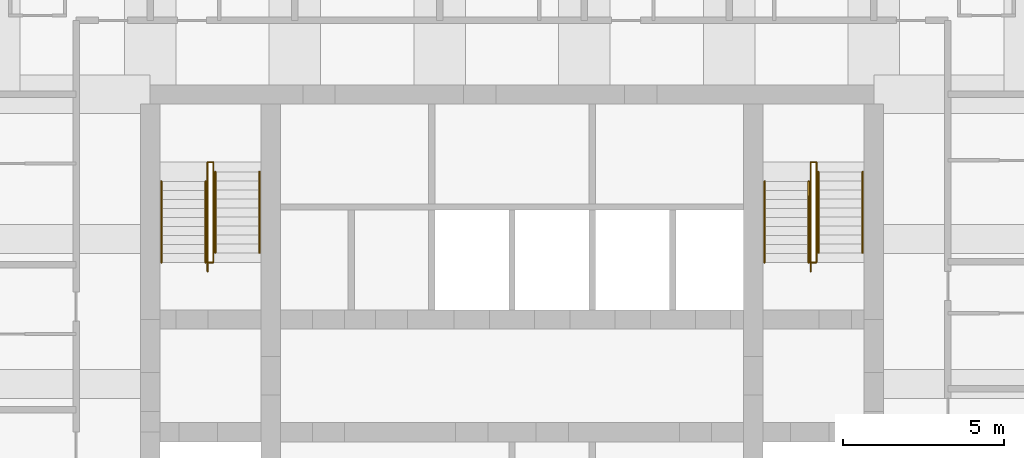
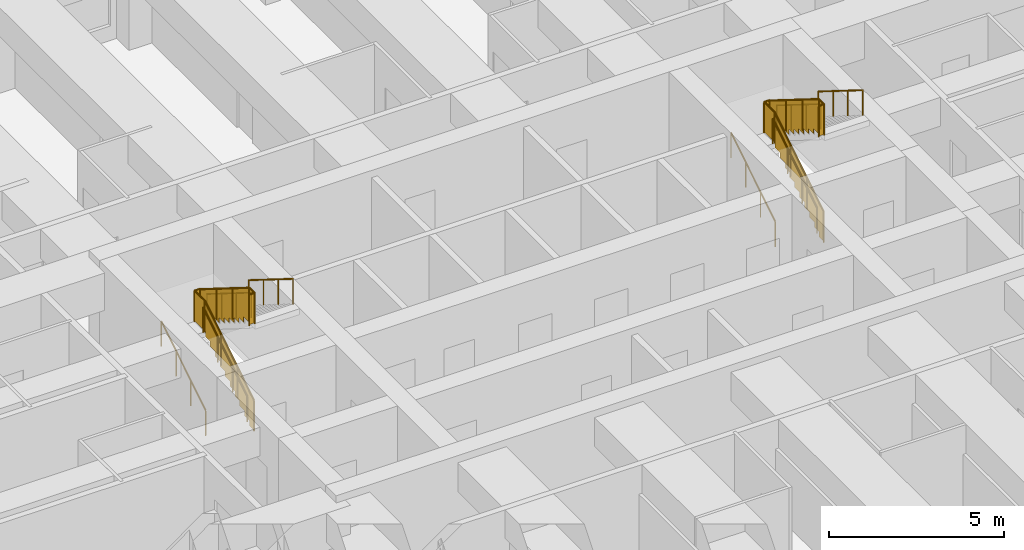
# One storey, part 8 of 8: 12 railings.
"""IFC4 building model written with IfcOpenShell, lengths in metres."""

from ifc_helpers import new_model, si_unit, direction, frame, origin, origin_2d, place, context, subcontext, project, spatial, polyline, circle, outline, extrude, material, type_object, element, save


model = new_model("IFC4")

# Units and contexts
model_context = context("Model", 3, precision=1e-05, world=origin(), true_north=direction((0.0, 1.0)))
body_context = subcontext(model_context, "Body", "Model", "MODEL_VIEW")
ifc_project = project(units=[si_unit("LENGTHUNIT", "METRE"), si_unit("AREAUNIT", "SQUARE_METRE"), si_unit("VOLUMEUNIT", "CUBIC_METRE"), si_unit("PLANEANGLEUNIT", "RADIAN"), si_unit("MASSUNIT", "GRAM", prefix="KILO")], contexts=[model_context])

# Site, building, storey
site_placement = place(None, origin())
site = spatial("IfcSite", under=ifc_project, at=site_placement, CompositionType="ELEMENT")
building_placement = place(site_placement, origin())
building = spatial("IfcBuilding", under=site, at=building_placement, Name="Kilele Tower Hotel", CompositionType="ELEMENT")
storey_placement = place(building_placement, frame((0.0, 0.0, 204.39990234375)))
storey = spatial("IfcBuildingStorey", under=building, at=storey_placement, Name="L53", CompositionType="ELEMENT", Elevation=204.39990234375)

# Railings
ifc_material_1 = material(Name="Steel handrail", Category="steel")
railing_type_1 = type_object("IfcRailingType", Name="Handrail 900", PredefinedType="HANDRAIL", material=ifc_material_1)
for number, where, name in (
    (1, (13.85009765625, 21.77490234375, 0.175048828125), "Handrail ST1 flight 1"),
    (2, (15.22509765625, 21.77490234375, 0.175048828125), "Handrail ST1 flight 1"),
):
    element("IfcRailing", number, at=place(storey_placement, frame(where)), inside=storey, type_object=railing_type_1, Name=name, PredefinedType="HANDRAIL", context=body_context, shape_type="SweptSolid", body=[
        extrude(circle(Radius=0.02490234375, at=origin_2d()), frame((0.0, 0.0, 0.875), z_axis=(0.0, 0.848007534815, 0.529984170421), x_axis=(-1.0, 0.0, 0.0)), (0.0, 0.0, 1.0), 2.9716796875),
        extrude(circle(Radius=0.02001953125, at=origin_2d()), origin(), (0.0, 0.0, 1.0), 0.849853515625),
        extrude(circle(Radius=0.02001953125, at=origin_2d()), frame((0.0, 0.840087890625, 0.52490234375)), (0.0, 0.0, 1.0), 0.849853515625),
        extrude(circle(Radius=0.02001953125, at=origin_2d()), frame((0.0, 1.679931640625, 1.050048828125)), (0.0, 0.0, 1.0), 0.849853515625),
        extrude(circle(Radius=0.02001953125, at=origin_2d()), frame((0.0, 2.52001953125, 1.574951171875)), (0.0, 0.0, 1.0), 0.849853515625),
    ])
for number, where, name in (
    (3, (15.52490234375, 24.594970703125, 1.925048828125), "Handrail ST1 flight 2"),
    (4, (16.89990234375, 24.594970703125, 1.925048828125), "Handrail ST1 flight 2"),
):
    element("IfcRailing", number, at=place(storey_placement, frame(where)), inside=storey, type_object=railing_type_1, Name=name, PredefinedType="HANDRAIL", context=body_context, shape_type="SweptSolid", body=[
        extrude(circle(Radius=0.02490234375, at=origin_2d()), frame((0.0, 0.0, 0.875), z_axis=(0.0, -0.848007534815, 0.529984170421), x_axis=(1.0, 0.0, 0.0)), (0.0, 0.0, 1.0), 2.9716796875),
        extrude(circle(Radius=0.02001953125, at=origin_2d()), origin(), (0.0, 0.0, 1.0), 0.849853515625),
        extrude(circle(Radius=0.02001953125, at=origin_2d()), frame((0.0, -0.840087890625, 0.52490234375)), (0.0, 0.0, 1.0), 0.849853515625),
        extrude(circle(Radius=0.02001953125, at=origin_2d()), frame((0.0, -1.679931640625, 1.050048828125)), (0.0, 0.0, 1.0), 0.849853515625),
        extrude(circle(Radius=0.02001953125, at=origin_2d()), frame((0.0, -2.52001953125, 1.574951171875)), (0.0, 0.0, 1.0), 0.849853515625),
    ])
for number, where, name in (
    (5, (32.60009765625, 21.77490234375, 0.175048828125), "Handrail ST2 flight 1"),
    (6, (33.97509765625, 21.77490234375, 0.175048828125), "Handrail ST2 flight 1"),
):
    element("IfcRailing", number, at=place(storey_placement, frame(where)), inside=storey, type_object=railing_type_1, Name=name, PredefinedType="HANDRAIL", context=body_context, shape_type="SweptSolid", body=[
        extrude(circle(Radius=0.02490234375, at=origin_2d()), frame((0.0, 0.0, 0.875), z_axis=(0.0, 0.848007534815, 0.529984170421), x_axis=(-1.0, 0.0, 0.0)), (0.0, 0.0, 1.0), 2.9716796875),
        extrude(circle(Radius=0.02001953125, at=origin_2d()), origin(), (0.0, 0.0, 1.0), 0.849853515625),
        extrude(circle(Radius=0.02001953125, at=origin_2d()), frame((0.0, 0.840087890625, 0.52490234375)), (0.0, 0.0, 1.0), 0.849853515625),
        extrude(circle(Radius=0.02001953125, at=origin_2d()), frame((0.0, 1.679931640625, 1.050048828125)), (0.0, 0.0, 1.0), 0.849853515625),
        extrude(circle(Radius=0.02001953125, at=origin_2d()), frame((0.0, 2.52001953125, 1.574951171875)), (0.0, 0.0, 1.0), 0.849853515625),
    ])
for number, where, name in (
    (7, (34.27490234375, 24.594970703125, 1.925048828125), "Handrail ST2 flight 2"),
    (8, (35.64990234375, 24.594970703125, 1.925048828125), "Handrail ST2 flight 2"),
):
    element("IfcRailing", number, at=place(storey_placement, frame(where)), inside=storey, type_object=railing_type_1, Name=name, PredefinedType="HANDRAIL", context=body_context, shape_type="SweptSolid", body=[
        extrude(circle(Radius=0.02490234375, at=origin_2d()), frame((0.0, 0.0, 0.875), z_axis=(0.0, -0.848007534815, 0.529984170421), x_axis=(1.0, 0.0, 0.0)), (0.0, 0.0, 1.0), 2.9716796875),
        extrude(circle(Radius=0.02001953125, at=origin_2d()), origin(), (0.0, 0.0, 1.0), 0.849853515625),
        extrude(circle(Radius=0.02001953125, at=origin_2d()), frame((0.0, -0.840087890625, 0.52490234375)), (0.0, 0.0, 1.0), 0.849853515625),
        extrude(circle(Radius=0.02001953125, at=origin_2d()), frame((0.0, -1.679931640625, 1.050048828125)), (0.0, 0.0, 1.0), 0.849853515625),
        extrude(circle(Radius=0.02001953125, at=origin_2d()), frame((0.0, -2.52001953125, 1.574951171875)), (0.0, 0.0, 1.0), 0.849853515625),
    ])
ifc_material_2 = material(Name="Steel guard", Category="steel")
railing_type_2 = type_object("IfcRailingType", Name="Stair guard 1100", PredefinedType="GUARDRAIL", material=ifc_material_2)
railing_1_placement = place(storey_placement, frame((15.284912109375, 21.4951171875, 0.0)))
element("IfcRailing", 9, at=railing_1_placement, inside=storey, type_object=railing_type_2, Name="Stair well guard ST1 flight 1", PredefinedType="GUARDRAIL", context=body_context, shape_type="SweptSolid", body=[
    extrude(circle(Radius=0.02490234375, at=origin_2d()), frame((0.0, 0.0, 1.0751953125), z_axis=(0.0, 0.847981687118, 0.530025526095), x_axis=(-1.0, 0.0, 0.0)), (0.0, 0.0, 1.0), 3.3017578125),
    extrude(circle(Radius=0.02490234375, at=origin_2d()), frame((0.0, 2.7998046875, 2.8251953125), z_axis=(0.0, 1.0, 0.0), x_axis=(-1.0, 0.0, 0.0)), (0.0, 0.0, 1.0), 0.60009765625),
    extrude(circle(Radius=0.02490234375, at=origin_2d()), frame((0.0, 3.39990234375, 2.8251953125), z_axis=(1.0, 0.0, 0.0), x_axis=(0.0, 1.0, 0.0)), (0.0, 0.0, 1.0), 0.18017578125),
    extrude(circle(Radius=0.02490234375, at=origin_2d()), origin(), (0.0, 0.0, 1.0), 1.050048828125),
    extrude(circle(Radius=0.02490234375, at=origin_2d()), frame((0.0, 0.933349609375, 0.583251953125)), (0.0, 0.0, 1.0), 1.050048828125),
    extrude(circle(Radius=0.02490234375, at=origin_2d()), frame((0.0, 1.866455078125, 1.166748046875)), (0.0, 0.0, 1.0), 1.050048828125),
    extrude(circle(Radius=0.02490234375, at=origin_2d()), frame((0.0, 2.7998046875, 1.75)), (0.0, 0.0, 1.0), 1.050048828125),
    extrude(circle(Radius=0.02490234375, at=origin_2d()), frame((0.0, 3.39990234375, 1.75)), (0.0, 0.0, 1.0), 1.050048828125),
    extrude(circle(Radius=0.02490234375, at=origin_2d()), frame((0.18017578125, 3.39990234375, 1.75)), (0.0, 0.0, 1.0), 1.050048828125),
    extrude(outline(polyline([(0.012451171875, 0.030029296875), (0.25, 0.030029296875), (0.25, 0.205078125), (0.530029296875, 0.205078125), (0.530029296875, 0.380126953125), (0.809814453125, 0.380126953125), (0.809814453125, 0.554931640625), (1.08984375, 0.554931640625), (1.08984375, 0.72998046875), (1.369873046875, 0.72998046875), (1.369873046875, 0.905029296875), (1.64990234375, 0.905029296875), (1.64990234375, 1.080078125), (1.929931640625, 1.080078125), (1.929931640625, 1.255126953125), (2.209716796875, 1.255126953125), (2.209716796875, 1.429931640625), (2.48974609375, 1.429931640625), (2.48974609375, 1.60498046875), (2.769775390625, 1.60498046875), (2.769775390625, 1.780029296875), (2.787353515625, 1.780029296875), (2.787353515625, 2.787841796875), (0.012451171875, 1.053466796875), (0.012451171875, 0.030029296875)])), frame((-0.005859375, 0.0, 0.0), z_axis=(1.0, 0.0, 0.0), x_axis=(0.0, 1.0, 0.0)), (0.0, 0.0, 1.0), 0.011962890625),
    extrude(outline(polyline([(0.012451171875, 0.030029296875), (0.587646484375, 0.030029296875), (0.587646484375, 1.050048828125), (0.012451171875, 1.050048828125), (0.012451171875, 0.030029296875)])), frame((-0.005859375, 2.7998046875, 1.75), z_axis=(1.0, 0.0, 0.0), x_axis=(0.0, 1.0, 0.0)), (0.0, 0.0, 1.0), 0.011962890625),
    extrude(outline(polyline([(0.012451171875, 0.030029296875), (0.18017578125, 0.030029296875), (0.18017578125, 1.050048828125), (0.012451171875, 1.050048828125), (0.012451171875, 0.030029296875)])), frame((0.0, 3.40576171875, 1.75), z_axis=(0.0, -1.0, 0.0), x_axis=(1.0, 0.0, 0.0)), (0.0, 0.0, 1.0), 0.011962890625),
])
railing_2_placement = place(storey_placement, frame((15.465087890625, 24.89501953125, 1.75)))
element("IfcRailing", 10, at=railing_2_placement, inside=storey, type_object=railing_type_2, Name="Stair well guard ST1 flight 2", PredefinedType="GUARDRAIL", context=body_context, shape_type="SweptSolid", body=[
    extrude(circle(Radius=0.02490234375, at=origin_2d()), frame((0.0, 0.0, 1.0751953125), z_axis=(0.0, -1.0, 0.0), x_axis=(1.0, 0.0, 0.0)), (0.0, 0.0, 1.0), 0.02001953125),
    extrude(circle(Radius=0.02490234375, at=origin_2d()), frame((0.0, -0.02001953125, 1.0751953125), z_axis=(0.0, -0.848002457836, 0.529992293815), x_axis=(1.0, 0.0, 0.0)), (0.0, 0.0, 1.0), 3.302001953125),
    extrude(circle(Radius=0.02490234375, at=origin_2d()), frame((0.0, -2.820068359375, 2.8251953125), z_axis=(0.0, -1.0, 0.0), x_axis=(1.0, 0.0, 0.0)), (0.0, 0.0, 1.0), 0.300048828125),
    extrude(circle(Radius=0.02490234375, at=origin_2d()), frame((0.0, -3.1201171875, 2.8251953125), z_axis=(-1.0, 0.0, 0.0), x_axis=(0.0, -1.0, 0.0)), (0.0, 0.0, 1.0), 0.18017578125),
    extrude(circle(Radius=0.02490234375, at=origin_2d()), origin(), (0.0, 0.0, 1.0), 1.050048828125),
    extrude(circle(Radius=0.02490234375, at=origin_2d()), frame((0.0, -0.02001953125, 0.0)), (0.0, 0.0, 1.0), 1.050048828125),
    extrude(circle(Radius=0.02490234375, at=origin_2d()), frame((0.0, -0.953369140625, 0.583251953125)), (0.0, 0.0, 1.0), 1.050048828125),
    extrude(circle(Radius=0.02490234375, at=origin_2d()), frame((0.0, -1.88671875, 1.166748046875)), (0.0, 0.0, 1.0), 1.050048828125),
    extrude(circle(Radius=0.02490234375, at=origin_2d()), frame((0.0, -2.820068359375, 1.75)), (0.0, 0.0, 1.0), 1.050048828125),
    extrude(circle(Radius=0.02490234375, at=origin_2d()), frame((0.0, -3.1201171875, 1.75)), (0.0, 0.0, 1.0), 1.050048828125),
    extrude(circle(Radius=0.02490234375, at=origin_2d()), frame((-0.18017578125, -3.1201171875, 1.75)), (0.0, 0.0, 1.0), 1.050048828125),
    extrude(outline(polyline([(0.012451171875, 0.030029296875), (0.25, 0.030029296875), (0.25, 0.205078125), (0.530029296875, 0.205078125), (0.530029296875, 0.380126953125), (0.81005859375, 0.380126953125), (0.81005859375, 0.554931640625), (1.090087890625, 0.554931640625), (1.090087890625, 0.72998046875), (1.3701171875, 0.72998046875), (1.3701171875, 0.905029296875), (1.64990234375, 0.905029296875), (1.64990234375, 1.080078125), (1.929931640625, 1.080078125), (1.929931640625, 1.255126953125), (2.2099609375, 1.255126953125), (2.2099609375, 1.429931640625), (2.489990234375, 1.429931640625), (2.489990234375, 1.60498046875), (2.77001953125, 1.60498046875), (2.77001953125, 1.780029296875), (2.78759765625, 1.780029296875), (2.78759765625, 2.787841796875), (0.012451171875, 1.053466796875), (0.012451171875, 0.030029296875)])), frame((0.005859375, -0.02001953125, 0.0), z_axis=(-1.0, 0.0, 0.0), x_axis=(0.0, -1.0, 0.0)), (0.0, 0.0, 1.0), 0.011962890625),
    extrude(outline(polyline([(0.012451171875, 0.030029296875), (0.28759765625, 0.030029296875), (0.28759765625, 1.050048828125), (0.012451171875, 1.050048828125), (0.012451171875, 0.030029296875)])), frame((0.005859375, -2.820068359375, 1.75), z_axis=(-1.0, 0.0, 0.0), x_axis=(0.0, -1.0, 0.0)), (0.0, 0.0, 1.0), 0.011962890625),
    extrude(outline(polyline([(0.012451171875, 0.030029296875), (0.18017578125, 0.030029296875), (0.18017578125, 1.050048828125), (0.012451171875, 1.050048828125), (0.012451171875, 0.030029296875)])), frame((0.0, -3.1259765625, 1.75), z_axis=(0.0, 1.0, 0.0), x_axis=(-1.0, 0.0, 0.0)), (0.0, 0.0, 1.0), 0.011962890625),
])
railing_3_placement = place(storey_placement, frame((34.034912109375, 21.4951171875, 0.0)))
element("IfcRailing", 11, at=railing_3_placement, inside=storey, type_object=railing_type_2, Name="Stair well guard ST2 flight 1", PredefinedType="GUARDRAIL", context=body_context, shape_type="SweptSolid", body=[
    extrude(circle(Radius=0.02490234375, at=origin_2d()), frame((0.0, 0.0, 1.0751953125), z_axis=(0.0, 0.847981687118, 0.530025526095), x_axis=(-1.0, 0.0, 0.0)), (0.0, 0.0, 1.0), 3.3017578125),
    extrude(circle(Radius=0.02490234375, at=origin_2d()), frame((0.0, 2.7998046875, 2.8251953125), z_axis=(0.0, 1.0, 0.0), x_axis=(-1.0, 0.0, 0.0)), (0.0, 0.0, 1.0), 0.60009765625),
    extrude(circle(Radius=0.02490234375, at=origin_2d()), frame((0.0, 3.39990234375, 2.8251953125), z_axis=(1.0, 0.0, 0.0), x_axis=(0.0, 1.0, 0.0)), (0.0, 0.0, 1.0), 0.18017578125),
    extrude(circle(Radius=0.02490234375, at=origin_2d()), origin(), (0.0, 0.0, 1.0), 1.050048828125),
    extrude(circle(Radius=0.02490234375, at=origin_2d()), frame((0.0, 0.933349609375, 0.583251953125)), (0.0, 0.0, 1.0), 1.050048828125),
    extrude(circle(Radius=0.02490234375, at=origin_2d()), frame((0.0, 1.866455078125, 1.166748046875)), (0.0, 0.0, 1.0), 1.050048828125),
    extrude(circle(Radius=0.02490234375, at=origin_2d()), frame((0.0, 2.7998046875, 1.75)), (0.0, 0.0, 1.0), 1.050048828125),
    extrude(circle(Radius=0.02490234375, at=origin_2d()), frame((0.0, 3.39990234375, 1.75)), (0.0, 0.0, 1.0), 1.050048828125),
    extrude(circle(Radius=0.02490234375, at=origin_2d()), frame((0.18017578125, 3.39990234375, 1.75)), (0.0, 0.0, 1.0), 1.050048828125),
    extrude(outline(polyline([(0.012451171875, 0.030029296875), (0.25, 0.030029296875), (0.25, 0.205078125), (0.530029296875, 0.205078125), (0.530029296875, 0.380126953125), (0.809814453125, 0.380126953125), (0.809814453125, 0.554931640625), (1.08984375, 0.554931640625), (1.08984375, 0.72998046875), (1.369873046875, 0.72998046875), (1.369873046875, 0.905029296875), (1.64990234375, 0.905029296875), (1.64990234375, 1.080078125), (1.929931640625, 1.080078125), (1.929931640625, 1.255126953125), (2.209716796875, 1.255126953125), (2.209716796875, 1.429931640625), (2.48974609375, 1.429931640625), (2.48974609375, 1.60498046875), (2.769775390625, 1.60498046875), (2.769775390625, 1.780029296875), (2.787353515625, 1.780029296875), (2.787353515625, 2.787841796875), (0.012451171875, 1.053466796875), (0.012451171875, 0.030029296875)])), frame((-0.005859375, 0.0, 0.0), z_axis=(1.0, 0.0, 0.0), x_axis=(0.0, 1.0, 0.0)), (0.0, 0.0, 1.0), 0.011962890625),
    extrude(outline(polyline([(0.012451171875, 0.030029296875), (0.587646484375, 0.030029296875), (0.587646484375, 1.050048828125), (0.012451171875, 1.050048828125), (0.012451171875, 0.030029296875)])), frame((-0.005859375, 2.7998046875, 1.75), z_axis=(1.0, 0.0, 0.0), x_axis=(0.0, 1.0, 0.0)), (0.0, 0.0, 1.0), 0.011962890625),
    extrude(outline(polyline([(0.012451171875, 0.030029296875), (0.18017578125, 0.030029296875), (0.18017578125, 1.050048828125), (0.012451171875, 1.050048828125), (0.012451171875, 0.030029296875)])), frame((0.0, 3.40576171875, 1.75), z_axis=(0.0, -1.0, 0.0), x_axis=(1.0, 0.0, 0.0)), (0.0, 0.0, 1.0), 0.011962890625),
])
railing_4_placement = place(storey_placement, frame((34.215087890625, 24.89501953125, 1.75)))
element("IfcRailing", 12, at=railing_4_placement, inside=storey, type_object=railing_type_2, Name="Stair well guard ST2 flight 2", PredefinedType="GUARDRAIL", context=body_context, shape_type="SweptSolid", body=[
    extrude(circle(Radius=0.02490234375, at=origin_2d()), frame((0.0, 0.0, 1.0751953125), z_axis=(0.0, -1.0, 0.0), x_axis=(1.0, 0.0, 0.0)), (0.0, 0.0, 1.0), 0.02001953125),
    extrude(circle(Radius=0.02490234375, at=origin_2d()), frame((0.0, -0.02001953125, 1.0751953125), z_axis=(0.0, -0.848002457836, 0.529992293815), x_axis=(1.0, 0.0, 0.0)), (0.0, 0.0, 1.0), 3.302001953125),
    extrude(circle(Radius=0.02490234375, at=origin_2d()), frame((0.0, -2.820068359375, 2.8251953125), z_axis=(0.0, -1.0, 0.0), x_axis=(1.0, 0.0, 0.0)), (0.0, 0.0, 1.0), 0.300048828125),
    extrude(circle(Radius=0.02490234375, at=origin_2d()), frame((0.0, -3.1201171875, 2.8251953125), z_axis=(-1.0, 0.0, 0.0), x_axis=(0.0, -1.0, 0.0)), (0.0, 0.0, 1.0), 0.18017578125),
    extrude(circle(Radius=0.02490234375, at=origin_2d()), origin(), (0.0, 0.0, 1.0), 1.050048828125),
    extrude(circle(Radius=0.02490234375, at=origin_2d()), frame((0.0, -0.02001953125, 0.0)), (0.0, 0.0, 1.0), 1.050048828125),
    extrude(circle(Radius=0.02490234375, at=origin_2d()), frame((0.0, -0.953369140625, 0.583251953125)), (0.0, 0.0, 1.0), 1.050048828125),
    extrude(circle(Radius=0.02490234375, at=origin_2d()), frame((0.0, -1.88671875, 1.166748046875)), (0.0, 0.0, 1.0), 1.050048828125),
    extrude(circle(Radius=0.02490234375, at=origin_2d()), frame((0.0, -2.820068359375, 1.75)), (0.0, 0.0, 1.0), 1.050048828125),
    extrude(circle(Radius=0.02490234375, at=origin_2d()), frame((0.0, -3.1201171875, 1.75)), (0.0, 0.0, 1.0), 1.050048828125),
    extrude(circle(Radius=0.02490234375, at=origin_2d()), frame((-0.18017578125, -3.1201171875, 1.75)), (0.0, 0.0, 1.0), 1.050048828125),
    extrude(outline(polyline([(0.012451171875, 0.030029296875), (0.25, 0.030029296875), (0.25, 0.205078125), (0.530029296875, 0.205078125), (0.530029296875, 0.380126953125), (0.81005859375, 0.380126953125), (0.81005859375, 0.554931640625), (1.090087890625, 0.554931640625), (1.090087890625, 0.72998046875), (1.3701171875, 0.72998046875), (1.3701171875, 0.905029296875), (1.64990234375, 0.905029296875), (1.64990234375, 1.080078125), (1.929931640625, 1.080078125), (1.929931640625, 1.255126953125), (2.2099609375, 1.255126953125), (2.2099609375, 1.429931640625), (2.489990234375, 1.429931640625), (2.489990234375, 1.60498046875), (2.77001953125, 1.60498046875), (2.77001953125, 1.780029296875), (2.78759765625, 1.780029296875), (2.78759765625, 2.787841796875), (0.012451171875, 1.053466796875), (0.012451171875, 0.030029296875)])), frame((0.005859375, -0.02001953125, 0.0), z_axis=(-1.0, 0.0, 0.0), x_axis=(0.0, -1.0, 0.0)), (0.0, 0.0, 1.0), 0.011962890625),
    extrude(outline(polyline([(0.012451171875, 0.030029296875), (0.28759765625, 0.030029296875), (0.28759765625, 1.050048828125), (0.012451171875, 1.050048828125), (0.012451171875, 0.030029296875)])), frame((0.005859375, -2.820068359375, 1.75), z_axis=(-1.0, 0.0, 0.0), x_axis=(0.0, -1.0, 0.0)), (0.0, 0.0, 1.0), 0.011962890625),
    extrude(outline(polyline([(0.012451171875, 0.030029296875), (0.18017578125, 0.030029296875), (0.18017578125, 1.050048828125), (0.012451171875, 1.050048828125), (0.012451171875, 0.030029296875)])), frame((0.0, -3.1259765625, 1.75), z_axis=(0.0, 1.0, 0.0), x_axis=(-1.0, 0.0, 0.0)), (0.0, 0.0, 1.0), 0.011962890625),
])

save(model, "model.ifc")
